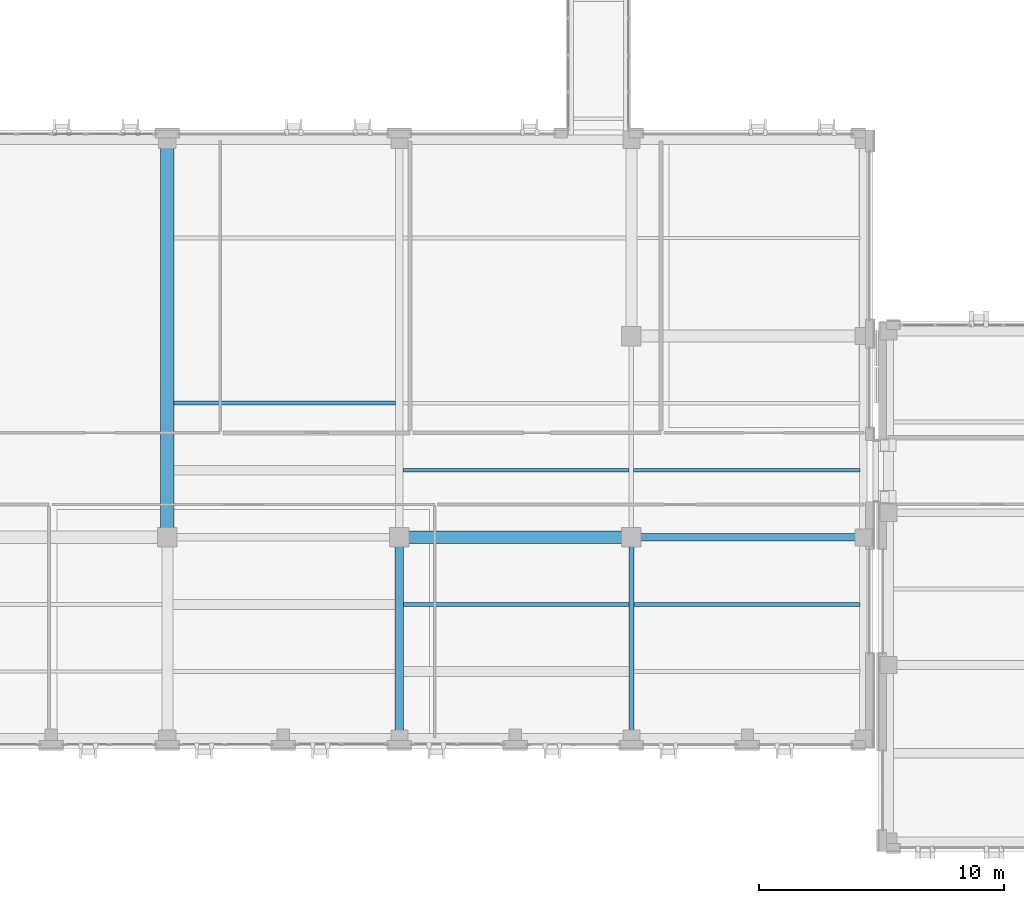
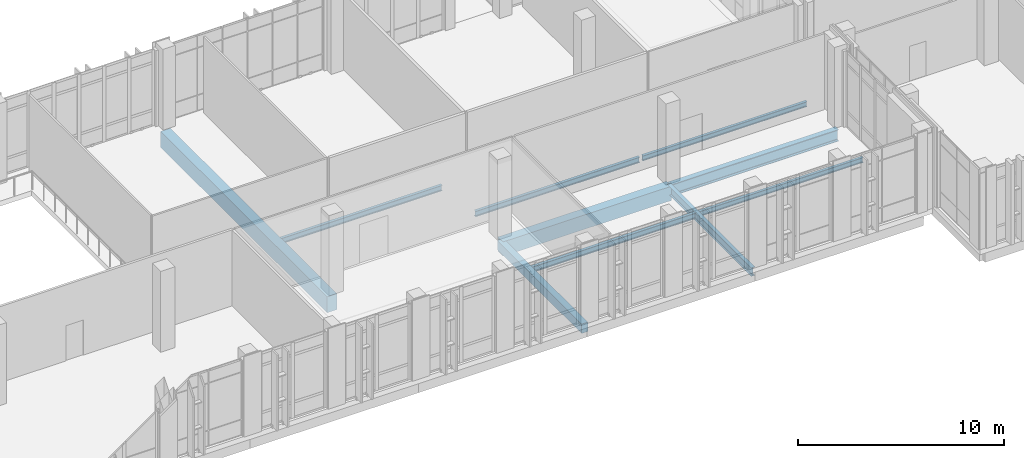
# One storey, part 36 of 189: 10 beams.
"""IFC4 building model written with IfcOpenShell, lengths in metres."""

from ifc_helpers import new_model, si_unit, direction, frame, origin, origin_2d, place, context, subcontext, project, spatial, rectangle, i_section, extrude, material, material_profile, profile_set, type_object, element, save


model = new_model("IFC4")

# Units and contexts
model_context = context("Model", 3, precision=1e-05, world=origin(), true_north=direction((0.0, 1.0)))
body_context = subcontext(model_context, "Body", "Model", "MODEL_VIEW")
ifc_project = project(units=[si_unit("LENGTHUNIT", "METRE"), si_unit("AREAUNIT", "SQUARE_METRE"), si_unit("VOLUMEUNIT", "CUBIC_METRE"), si_unit("PLANEANGLEUNIT", "RADIAN"), si_unit("MASSUNIT", "GRAM", prefix="KILO")], contexts=[model_context])

# Site, building, storey
site_placement = place(None, origin())
site = spatial("IfcSite", under=ifc_project, at=site_placement, CompositionType="ELEMENT")
building_placement = place(site_placement, origin())
building = spatial("IfcBuilding", under=site, at=building_placement, Name="Qalavern Law Courts", CompositionType="ELEMENT")
storey_placement = place(building_placement, frame((0.0, 0.0, 5.39990234375)))
storey = spatial("IfcBuildingStorey", under=building, at=storey_placement, Name="L01", CompositionType="ELEMENT", Elevation=5.39990234375)

# Beams
ifc_material_1 = material(Name="Steel S355", Category="steel")
ifc_material_profile_1 = material_profile(ifc_material_1, i_section(OverallWidth=0.300048828125, OverallDepth=0.699951171875, WebThickness=0.01708984375, FlangeThickness=0.031982421875, FilletRadius=0.027099609375, at=origin_2d()), Name="HEB 700")
ifc_profile_set_1 = profile_set([ifc_material_profile_1], Name="Steel S355")
beam_type_1 = type_object("IfcBeamType", Name="STR-BM-HEB700", PredefinedType="BEAM", material=ifc_profile_set_1)
beam_1_placement = place(storey_placement, frame((91.345703125, 13.800048828125, -0.64990234375), z_axis=(1.0, 0.0, 0.0), x_axis=(0.0, 1.0, 0.0)))
element("IfcBeam", 1, at=beam_1_placement, inside=storey, type_object=beam_type_1, Name="V2 X-beam 2-7 L01", PredefinedType="BEAM", context=body_context, shape_type="SweptSolid", body=[
    extrude(i_section(OverallWidth=0.300048828125, OverallDepth=0.699951171875, WebThickness=0.01708984375, FlangeThickness=0.031982421875, FilletRadius=0.027099609375, at=origin_2d()), origin(), (0.0, 0.0, 1.0), 9.454345703125),
])
ifc_material_profile_2 = material_profile(ifc_material_1, i_section(OverallWidth=0.199951171875, OverallDepth=0.5, WebThickness=0.01025390625, FlangeThickness=0.01611328125, FilletRadius=0.02099609375, at=origin_2d()), Name="IPE 500")
ifc_profile_set_2 = profile_set([ifc_material_profile_2], Name="Steel S355")
beam_type_2 = type_object("IfcBeamType", Name="STR-BM-IPE500", PredefinedType="BEAM", material=ifc_profile_set_2)
beam_2_placement = place(storey_placement, frame((91.345703125, 5.60009765625, -0.5498046875), z_axis=(0.0, 1.0, 0.0), x_axis=(-1.0, 0.0, 0.0)))
element("IfcBeam", 2, at=beam_2_placement, inside=storey, type_object=beam_type_2, Name="V2 Y-beam 7-1 L01", PredefinedType="BEAM", context=body_context, shape_type="SweptSolid", body=[
    extrude(i_section(OverallWidth=0.199951171875, OverallDepth=0.5, WebThickness=0.01025390625, FlangeThickness=0.01611328125, FilletRadius=0.02099609375, at=origin_2d()), origin(), (0.0, 0.0, 1.0), 8.199951171875),
])
ifc_material_2 = material(Name="Concrete C35/45", Category="concrete")
ifc_material_profile_3 = material_profile(ifc_material_2, rectangle(XDim=0.35009765625, YDim=0.550048828125, at=origin_2d()), Name="RC 350x550")
ifc_profile_set_3 = profile_set([ifc_material_profile_3], Name="Concrete C35/45")
beam_type_3 = type_object("IfcBeamType", Name="STR-BM-RC350x550", PredefinedType="BEAM", material=ifc_profile_set_3)
beam_3_placement = place(storey_placement, frame((81.891357421875, 5.60009765625, -0.574951171875), z_axis=(0.0, 1.0, 0.0), x_axis=(-1.0, 0.0, 0.0)))
element("IfcBeam", 3, at=beam_3_placement, inside=storey, type_object=beam_type_3, Name="V2 Y-beam 6-1 L01", PredefinedType="BEAM", context=body_context, shape_type="SweptSolid", body=[
    extrude(rectangle(XDim=0.35009765625, YDim=0.550048828125, at=origin_2d()), origin(), (0.0, 0.0, 1.0), 8.199951171875),
])
ifc_material_3 = material(Name="Concrete C40/50", Category="concrete")
ifc_material_profile_4 = material_profile(ifc_material_3, rectangle(XDim=0.5, YDim=0.85009765625, at=origin_2d()), Name="RC 500x850")
ifc_profile_set_4 = profile_set([ifc_material_profile_4], Name="Concrete C40/50")
beam_type_4 = type_object("IfcBeamType", Name="STR-BM-RC500x850", PredefinedType="BEAM", material=ifc_profile_set_4)
beam_4_placement = place(storey_placement, frame((81.891357421875, 13.800048828125, -0.724853515625), z_axis=(1.0, 0.0, 0.0), x_axis=(0.0, 1.0, 0.0)))
element("IfcBeam", 4, at=beam_4_placement, inside=storey, type_object=beam_type_4, Name="V2 X-beam 2-6 L01", PredefinedType="BEAM", context=body_context, shape_type="SweptSolid", body=[
    extrude(rectangle(XDim=0.5, YDim=0.85009765625, at=origin_2d()), origin(), (0.0, 0.0, 1.0), 9.454345703125),
])
ifc_material_profile_5 = material_profile(ifc_material_3, rectangle(XDim=0.550048828125, YDim=0.949951171875, at=origin_2d()), Name="RC 550x950")
ifc_profile_set_5 = profile_set([ifc_material_profile_5], Name="Concrete C40/50")
beam_type_5 = type_object("IfcBeamType", Name="STR-BM-RC550x950", PredefinedType="BEAM", material=ifc_profile_set_5)
beam_5_placement = place(storey_placement, frame((72.43701171875, 13.800048828125, -0.77490234375), z_axis=(0.0, 1.0, 0.0), x_axis=(-1.0, 0.0, 0.0)))
element("IfcBeam", 5, at=beam_5_placement, inside=storey, type_object=beam_type_5, Name="V2 Y-beam 5-2 L01", PredefinedType="BEAM", context=body_context, shape_type="SweptSolid", body=[
    extrude(rectangle(XDim=0.550048828125, YDim=0.949951171875, at=origin_2d()), origin(), (0.0, 0.0, 1.0), 16.199951171875),
])
ifc_material_profile_6 = material_profile(ifc_material_1, i_section(OverallWidth=0.14990234375, OverallDepth=0.300048828125, WebThickness=0.007080078125, FlangeThickness=0.0107421875, FilletRadius=0.014892578125, at=origin_2d()), Name="IPE 300")
ifc_profile_set_6 = profile_set([ifc_material_profile_6], Name="Steel S355")
beam_type_6 = type_object("IfcBeamType", Name="STR-JST-IPE300", PredefinedType="JOIST", material=ifc_profile_set_6)
beam_6_placement = place(storey_placement, frame((91.443603515625, 11.066650390625, -0.449951171875), z_axis=(1.0, 0.0, 0.0), x_axis=(0.0, 1.0, 0.0)))
element("IfcBeam", 6, at=beam_6_placement, inside=storey, type_object=beam_type_6, Name="V2 secondary joist 7.1.2 L01", PredefinedType="JOIST", context=body_context, shape_type="SweptSolid", body=[
    extrude(i_section(OverallWidth=0.14990234375, OverallDepth=0.300048828125, WebThickness=0.007080078125, FlangeThickness=0.0107421875, FilletRadius=0.014892578125, at=origin_2d()), origin(), (0.0, 0.0, 1.0), 9.20849609375),
])
beam_7_placement = place(storey_placement, frame((91.43359375, 16.533203125, -0.449951171875), z_axis=(1.0, 0.0, 0.0), x_axis=(0.0, 1.0, 0.0)))
element("IfcBeam", 7, at=beam_7_placement, inside=storey, type_object=beam_type_6, Name="V2 secondary joist 7.2.1 L01", PredefinedType="JOIST", context=body_context, shape_type="SweptSolid", body=[
    extrude(i_section(OverallWidth=0.14990234375, OverallDepth=0.300048828125, WebThickness=0.007080078125, FlangeThickness=0.0107421875, FilletRadius=0.014892578125, at=origin_2d()), origin(), (0.0, 0.0, 1.0), 9.218505859375),
])
ifc_material_profile_7 = material_profile(ifc_material_1, i_section(OverallWidth=0.159912109375, OverallDepth=0.330078125, WebThickness=0.007568359375, FlangeThickness=0.011474609375, FilletRadius=0.01806640625, at=origin_2d()), Name="IPE 330")
ifc_profile_set_7 = profile_set([ifc_material_profile_7], Name="Steel S355")
beam_type_7 = type_object("IfcBeamType", Name="STR-JST-IPE330", PredefinedType="JOIST", material=ifc_profile_set_7)
beam_8_placement = place(storey_placement, frame((72.710205078125, 19.2666015625, -0.46484375), z_axis=(1.0, 0.0, 0.0), x_axis=(0.0, 1.0, 0.0)))
element("IfcBeam", 8, at=beam_8_placement, inside=storey, type_object=beam_type_7, Name="V2 secondary joist 5.2.2 L01", PredefinedType="JOIST", context=body_context, shape_type="SweptSolid", body=[
    extrude(i_section(OverallWidth=0.159912109375, OverallDepth=0.330078125, WebThickness=0.007568359375, FlangeThickness=0.011474609375, FilletRadius=0.01806640625, at=origin_2d()), origin(), (0.0, 0.0, 1.0), 9.033203125),
])
beam_9_placement = place(storey_placement, frame((82.064453125, 11.066650390625, -0.46484375), z_axis=(1.0, 0.0, 0.0), x_axis=(0.0, 1.0, 0.0)))
element("IfcBeam", 9, at=beam_9_placement, inside=storey, type_object=beam_type_7, Name="V2 secondary joist 6.1.2 L01", PredefinedType="JOIST", context=body_context, shape_type="SweptSolid", body=[
    extrude(i_section(OverallWidth=0.159912109375, OverallDepth=0.330078125, WebThickness=0.007568359375, FlangeThickness=0.011474609375, FilletRadius=0.01806640625, at=origin_2d()), origin(), (0.0, 0.0, 1.0), 9.183349609375),
])
beam_10_placement = place(storey_placement, frame((82.039306640625, 16.533203125, -0.46484375), z_axis=(1.0, 0.0, 0.0), x_axis=(0.0, 1.0, 0.0)))
element("IfcBeam", 10, at=beam_10_placement, inside=storey, type_object=beam_type_7, Name="V2 secondary joist 6.2.1 L01", PredefinedType="JOIST", context=body_context, shape_type="SweptSolid", body=[
    extrude(i_section(OverallWidth=0.159912109375, OverallDepth=0.330078125, WebThickness=0.007568359375, FlangeThickness=0.011474609375, FilletRadius=0.01806640625, at=origin_2d()), origin(), (0.0, 0.0, 1.0), 9.218505859375),
])

save(model, "model.ifc")
